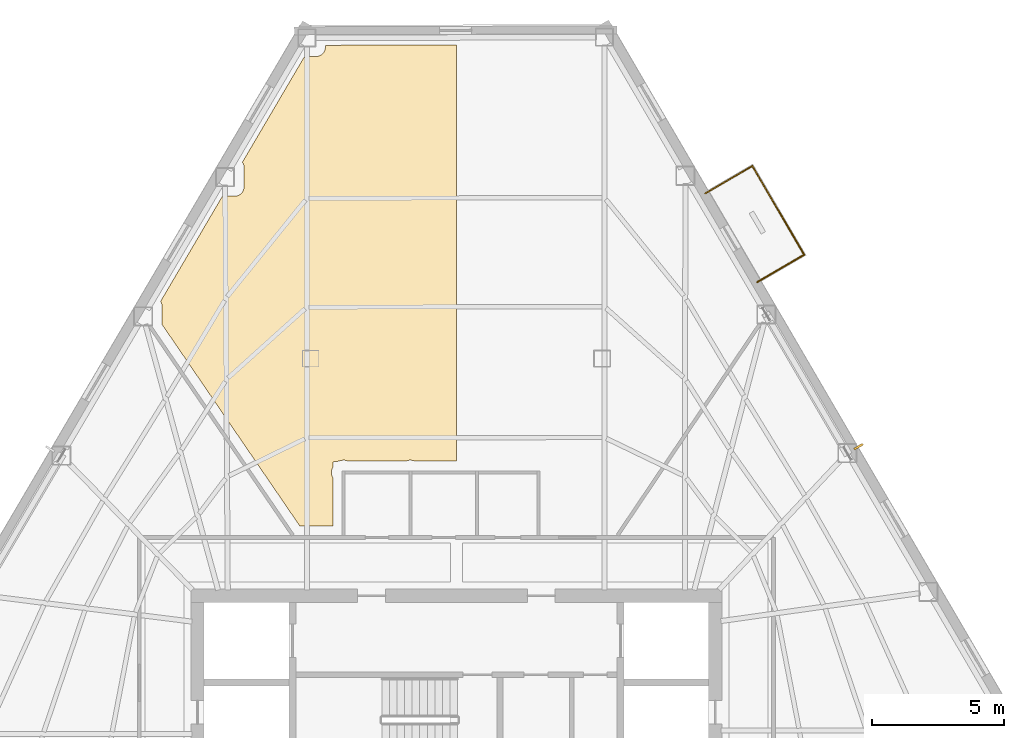
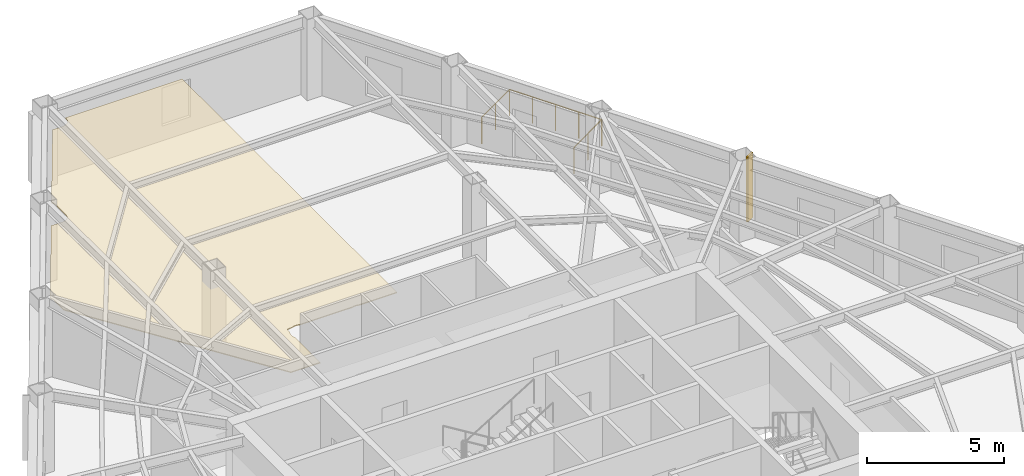
# One storey, part 10 of 10: 3 railings, 1 covering, 1 shading device.
"""IFC4 building model written with IfcOpenShell, lengths in metres."""

from ifc_helpers import new_model, si_unit, direction, frame, origin, origin_2d, place, context, subcontext, project, spatial, polyline, rectangle, circle, outline, extrude, material, layer, layer_set, type_object, element, save


model = new_model("IFC4")

# Units and contexts
model_context = context("Model", 3, precision=1e-05, world=origin(), true_north=direction((0.0, 1.0)))
body_context = subcontext(model_context, "Body", "Model", "MODEL_VIEW")
ifc_project = project(units=[si_unit("LENGTHUNIT", "METRE"), si_unit("AREAUNIT", "SQUARE_METRE"), si_unit("VOLUMEUNIT", "CUBIC_METRE"), si_unit("PLANEANGLEUNIT", "RADIAN"), si_unit("MASSUNIT", "GRAM", prefix="KILO")], contexts=[model_context])

# Site, building, storey
site_placement = place(None, origin())
site = spatial("IfcSite", under=ifc_project, at=site_placement, CompositionType="ELEMENT")
building_placement = place(site_placement, origin())
building = spatial("IfcBuilding", under=site, at=building_placement, Name="Kavelnor Concourse Tower", CompositionType="ELEMENT")
storey_placement = place(building_placement, frame((0.0, 0.0, 135.550048828125)))
storey = spatial("IfcBuildingStorey", under=building, at=storey_placement, Name="L34", CompositionType="ELEMENT", Elevation=135.550048828125)

# Covering
ifc_material_1 = material(Name="Mineral fibre acoustic ceiling tile")
ifc_layer_1 = layer(ifc_material_1, 0.0400390625, Name="Mineral fibre acoustic ceiling tile")
ifc_layer_set_1 = layer_set([ifc_layer_1], Name="Mineral fibre acoustic ceiling tile")
covering_type = type_object("IfcCoveringType", Name="COV-CEILING-ACOUSTIC", PredefinedType="CEILING", material=ifc_layer_set_1)
covering_placement = place(storey_placement, frame((0.0, 0.0, 2.75)))
element("IfcCovering", 1, at=covering_placement, inside=storey, type_object=covering_type, Name="L34 Suspended Acoustic Ceiling", PredefinedType="CEILING", context=body_context, shape_type="SweptSolid", body=[
    extrude(outline(polyline([(29.66162109375, 37.92724609375), (29.696533203125, 37.9326171875), (29.730712890625, 37.941162109375), (29.76416015625, 37.952880859375), (29.796142578125, 37.968017578125), (29.826416015625, 37.986328125), (29.854736328125, 38.00732421875), (29.881103515625, 38.03125), (29.90478515625, 38.057373046875), (29.92578125, 38.085693359375), (29.944091796875, 38.1162109375), (29.959228515625, 38.148193359375), (29.97119140625, 38.181396484375), (29.979736328125, 38.2158203125), (29.98486328125, 38.250732421875), (29.986083984375, 38.277587890625), (29.986083984375, 39.014404296875), (29.98486328125, 39.041259765625), (29.979736328125, 39.076416015625), (29.97119140625, 39.110595703125), (29.959228515625, 39.143798828125), (29.944091796875, 39.17578125), (29.92578125, 39.206298828125), (29.9228515625, 39.21044921875), (32.267822265625, 43.2001953125), (32.70263671875, 43.2001953125), (32.729736328125, 43.201416015625), (32.7646484375, 43.20654296875), (32.799072265625, 43.215087890625), (32.832275390625, 43.22705078125), (32.8642578125, 43.2421875), (32.89453125, 43.260498046875), (32.923095703125, 43.281494140625), (32.94921875, 43.305419921875), (32.972900390625, 43.33154296875), (32.994140625, 43.35986328125), (33.01220703125, 43.39013671875), (33.02734375, 43.422119140625), (33.039306640625, 43.45556640625), (33.0478515625, 43.48974609375), (33.052978515625, 43.52490234375), (33.054443359375, 43.5517578125), (33.054443359375, 43.622314453125), (37.9951171875, 43.636962890625), (37.9951171875, 27.94091796875), (36.39990234375, 27.93994140625), (36.377685546875, 27.947998046875), (36.339111328125, 27.95751953125), (36.2998046875, 27.96337890625), (36.260009765625, 27.96533203125), (36.22021484375, 27.96337890625), (36.180908203125, 27.95751953125), (36.142333984375, 27.947998046875), (36.123291015625, 27.941162109375), (33.8798828125, 27.93994140625), (33.857666015625, 27.947998046875), (33.819091796875, 27.95751953125), (33.77978515625, 27.96337890625), (33.739990234375, 27.96533203125), (33.7001953125, 27.96337890625), (33.660888671875, 27.95751953125), (33.622314453125, 27.947998046875), (33.5849609375, 27.9345703125), (33.573486328125, 27.92919921875), (33.340087890625, 27.899658203125), (33.340087890625, 27.70361328125), (33.33251953125, 27.691162109375), (33.3154296875, 27.655029296875), (33.302001953125, 27.61767578125), (33.29248046875, 27.5791015625), (33.28662109375, 27.539794921875), (33.28466796875, 27.5), (33.28662109375, 27.460205078125), (33.29248046875, 27.4208984375), (33.302001953125, 27.38232421875), (33.3154296875, 27.344970703125), (33.33251953125, 27.308837890625), (33.3349609375, 27.3046875), (33.3349609375, 25.472412109375), (32.094970703125, 25.472412109375), (26.89794921875, 33.07421875), (26.89794921875, 33.76025390625), (26.896728515625, 33.787353515625), (26.8916015625, 33.822265625), (26.8828125, 33.856689453125), (26.87109375, 33.889892578125), (26.85595703125, 33.921875), (26.837646484375, 33.9521484375), (26.834716796875, 33.956298828125), (29.167724609375, 37.926025390625), (29.634521484375, 37.926025390625), (29.66162109375, 37.92724609375)])), origin(), (0.0, 0.0, 1.0), 0.0400390625),
])

# Railings
ifc_material_2 = material(Name="Architectural bronze-anodised aluminium", Category="aluminium")
railing_type = type_object("IfcRailingType", Name="RLG-TERRACE-1200", PredefinedType="BALUSTRADE", material=ifc_material_2)
railing_1_placement = place(storey_placement, frame((49.354248046875, 34.685546875, 0.0)))
element("IfcRailing", 2, at=railing_1_placement, inside=storey, type_object=railing_type, Name="L34 Tree Balcony 2 Guardrail L", PredefinedType="BALUSTRADE", context=body_context, shape_type="SweptSolid", body=[
    extrude(circle(Radius=0.02392578125, at=origin_2d()), frame((0.0, 0.0, 1.17578125), z_axis=(0.863610381565, 0.504159804877, 0.0), x_axis=(-0.504159804877, 0.863610381565, 0.0)), (0.0, 0.0, 1.0), 2.0498046875),
    extrude(circle(Radius=0.02099609375, at=origin_2d()), origin(), (0.0, 0.0, 1.0), 1.15185546875),
    extrude(circle(Radius=0.02099609375, at=origin_2d()), frame((0.88525390625, 0.5166015625, 0.0)), (0.0, 0.0, 1.0), 1.15185546875),
    extrude(circle(Radius=0.02099609375, at=origin_2d()), frame((1.770263671875, 1.033447265625, 0.0)), (0.0, 0.0, 1.0), 1.15185546875),
])
railing_2_placement = place(storey_placement, frame((51.12451171875, 35.718994140625, 0.0)))
element("IfcRailing", 3, at=railing_2_placement, inside=storey, type_object=railing_type, Name="L34 Tree Balcony 2 Guardrail F", PredefinedType="BALUSTRADE", context=body_context, shape_type="SweptSolid", body=[
    extrude(circle(Radius=0.02392578125, at=origin_2d()), frame((0.0, 0.0, 1.17578125), z_axis=(-0.504140951372, 0.863621387617, 0.0), x_axis=(-0.863621387617, -0.504140951372, 0.0)), (0.0, 0.0, 1.0), 3.8798828125),
    extrude(circle(Radius=0.02099609375, at=origin_2d()), origin(), (0.0, 0.0, 1.0), 1.15185546875),
    extrude(circle(Radius=0.02099609375, at=origin_2d()), frame((-0.489013671875, 0.837646484375, 0.0)), (0.0, 0.0, 1.0), 1.15185546875),
    extrude(circle(Radius=0.02099609375, at=origin_2d()), frame((-0.97802734375, 1.67529296875, 0.0)), (0.0, 0.0, 1.0), 1.15185546875),
    extrude(circle(Radius=0.02099609375, at=origin_2d()), frame((-1.467041015625, 2.51318359375, 0.0)), (0.0, 0.0, 1.0), 1.15185546875),
    extrude(circle(Radius=0.02099609375, at=origin_2d()), frame((-1.9560546875, 3.350830078125, 0.0)), (0.0, 0.0, 1.0), 1.15185546875),
])
railing_3_placement = place(storey_placement, frame((49.16845703125, 39.06982421875, 0.0)))
element("IfcRailing", 4, at=railing_3_placement, inside=storey, type_object=railing_type, Name="L34 Tree Balcony 2 Guardrail R", PredefinedType="BALUSTRADE", context=body_context, shape_type="SweptSolid", body=[
    extrude(circle(Radius=0.02392578125, at=origin_2d()), frame((0.0, 0.0, 1.17578125), z_axis=(-0.863610381565, -0.504159804877, 0.0), x_axis=(0.504159804877, -0.863610381565, 0.0)), (0.0, 0.0, 1.0), 2.0498046875),
    extrude(circle(Radius=0.02099609375, at=origin_2d()), origin(), (0.0, 0.0, 1.0), 1.15185546875),
    extrude(circle(Radius=0.02099609375, at=origin_2d()), frame((-0.88525390625, -0.5166015625, 0.0)), (0.0, 0.0, 1.0), 1.15185546875),
    extrude(circle(Radius=0.02099609375, at=origin_2d()), frame((-1.770263671875, -1.033447265625, 0.0)), (0.0, 0.0, 1.0), 1.15185546875),
])

# Shading device
ifc_layer_2 = layer(ifc_material_2, 0.06005859375, Name="Architectural bronze-anodised aluminium")
ifc_layer_set_2 = layer_set([ifc_layer_2], Name="Architectural bronze-anodised aluminium")
shading_device_type = type_object("IfcShadingDeviceType", Name="SHD-SOLAR-FIN", PredefinedType="JALOUSIE", material=ifc_layer_set_2)
shading_device_placement = place(storey_placement, frame((53.176025390625, 28.4755859375, 0.39990234375), z_axis=(0.0, 0.0, 1.0), x_axis=(0.863571611366, 0.504226211181, 0.0)))
element("IfcShadingDevice", 5, at=shading_device_placement, inside=storey, type_object=shading_device_type, Name="L34 Bronze Pier Solar Fin F2", PredefinedType="JALOUSIE", context=body_context, shape_type="SweptSolid", body=[
    extrude(rectangle(XDim=0.3798828125, YDim=0.080078125, at=origin_2d()), origin(), (0.0, 0.0, 1.0), 2.89990234375),
])

save(model, "model.ifc")
